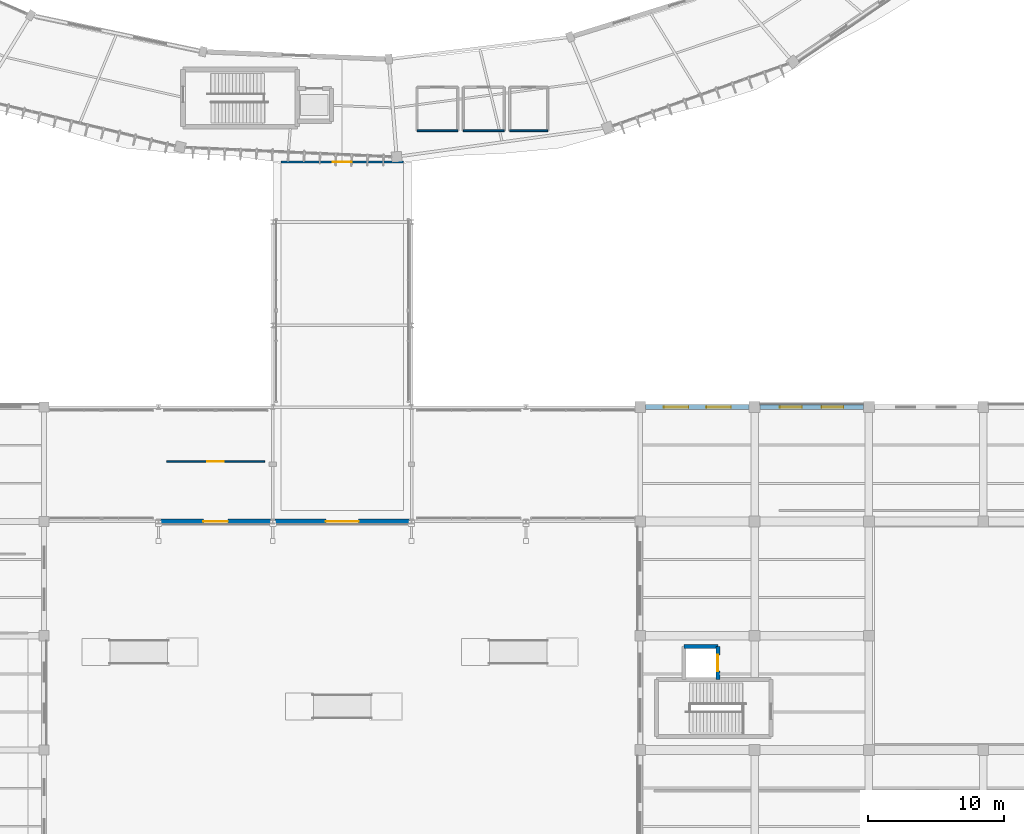
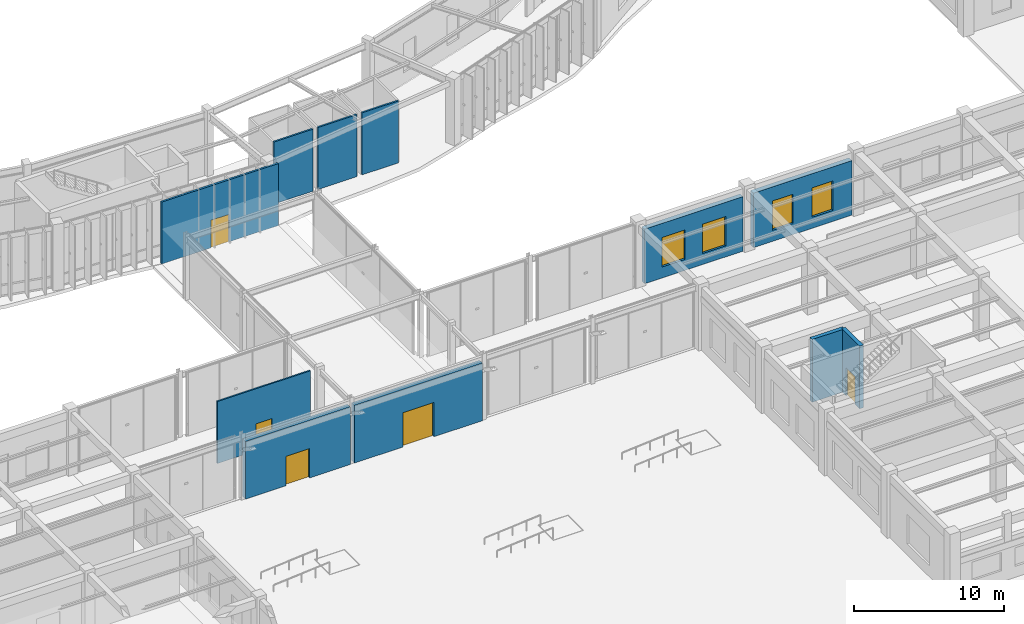
# One storey, part 127 of 157: 11 walls, 5 doors, 4 windows, 9 openings.
"""IFC4 building model written with IfcOpenShell, lengths in metres."""

from ifc_helpers import new_model, si_unit, direction, frame, frame_2d, origin, place, context, subcontext, project, spatial, rectangle, extrude, material, layer, layer_set, type_object, element, fill, save


model = new_model("IFC4")

# Units and contexts
model_context = context("Model", 3, precision=1e-05, world=origin(), true_north=direction((0.0, 1.0)))
body_context = subcontext(model_context, "Body", "Model", "MODEL_VIEW")
ifc_project = project(units=[si_unit("LENGTHUNIT", "METRE"), si_unit("AREAUNIT", "SQUARE_METRE"), si_unit("VOLUMEUNIT", "CUBIC_METRE"), si_unit("PLANEANGLEUNIT", "RADIAN"), si_unit("MASSUNIT", "GRAM", prefix="KILO"), si_unit("THERMODYNAMICTEMPERATUREUNIT", "KELVIN"), si_unit("POWERUNIT", "WATT")], contexts=[model_context])

# Site, building, storey
site_placement = place(None, origin())
site = spatial("IfcSite", under=ifc_project, at=site_placement, CompositionType="ELEMENT")
building_placement = place(site_placement, origin())
building = spatial("IfcBuilding", under=site, at=building_placement, Name="Darbajah Civic Hall", CompositionType="ELEMENT")
storey_placement = place(building_placement, origin())
storey = spatial("IfcBuildingStorey", under=building, at=storey_placement, Name="L00", CompositionType="ELEMENT", Elevation=0.0)

# Wall
ifc_material_1 = material(Name="Concrete C45/55", Category="concrete")
ifc_layer_1 = layer(ifc_material_1, 0.300048828125, Name="Concrete C45/55")
ifc_layer_set_1 = layer_set([ifc_layer_1], Name="Concrete C45/55")
wall_type_1 = type_object("IfcWallType", Name="Core Shear Wall 300mm", PredefinedType="SHEAR", material=ifc_layer_set_1)
wall_1_placement = place(storey_placement, frame((116.699951171875, 24.39990234375, 0.0), z_axis=(0.0, 0.0, 1.0), x_axis=(-1.0, 0.0, 0.0)))
element("IfcWall", 1, at=wall_1_placement, inside=storey, type_object=wall_type_1, Name="L00 lift PL3 shaft wall N", PredefinedType="SHEAR", context=body_context, shape_type="SweptSolid", body=[
    extrude(rectangle(XDim=2.5, YDim=0.300048828125, at=frame_2d((1.25, 0.0))), origin(), (0.0, 0.0, 1.0), 5.1201171875),
])

# Wall, opening, door
wall_2_placement = place(storey_placement, frame((116.699951171875, 22.0, 0.0), z_axis=(0.0, 0.0, 1.0), x_axis=(0.0, 1.0, 0.0)))
wall_2 = element("IfcWall", 2, at=wall_2_placement, inside=storey, type_object=wall_type_1, Name="L00 lift PL3 shaft wall E", PredefinedType="SHEAR", context=body_context, shape_type="SweptSolid", body=[
    extrude(rectangle(XDim=2.39990234375, YDim=0.300048828125, at=frame_2d((1.199951171875, 0.0))), origin(), (0.0, 0.0, 1.0), 5.1201171875),
])
opening_1_placement = place(wall_2_placement, frame((0.60009765625, 0.0, 0.0)))
opening_1 = element("IfcOpeningElement", 3, at=opening_1_placement, cuts=wall_2, Name="Opening LD-0077", PredefinedType="OPENING", context=body_context, shape_type="SweptSolid", body=[
    extrude(rectangle(XDim=1.199951171875, YDim=2.25, at=frame_2d((0.60009765625, 1.125))), frame((0.0, 0.159912109375, 0.0), z_axis=(0.0, -1.0, 0.0), x_axis=(1.0, 0.0, 0.0)), (0.0, 0.0, 1.0), 0.320068359375),
])
ifc_material_2 = material(Name="Stainless Lift Landing Door")
door_type_1 = type_object("IfcDoorType", Name="Lift Landing Door 1200x2250", OperationType="SLIDING_TO_LEFT", PredefinedType="DOOR", material=ifc_material_2)
door_1_placement = place(opening_1_placement, origin())
door_1 = element("IfcDoor", 4, at=door_1_placement, inside=storey, type_object=door_type_1, Name="L00 lift PL3 landing door LD-0077", OperationType="SLIDING_TO_LEFT", OverallHeight=2.25, OverallWidth=1.199951171875, PredefinedType="DOOR", context=body_context, shape_type="SweptSolid", body=[
    extrude(rectangle(XDim=1.199951171875, YDim=2.25, at=frame_2d((0.60009765625, 1.125))), frame((0.0, 0.02490234375, 0.0), z_axis=(0.0, -1.0, 0.0), x_axis=(1.0, 0.0, 0.0)), (0.0, 0.0, 1.0), 0.050048828125),
])
fill(opening_1, door_1)

# Wall, openings, windows
ifc_material_3 = material(Name="Red Dholpur Sandstone Cladding", Category="masonry")
ifc_layer_2 = layer(ifc_material_3, 0.3798828125, Name="Red Dholpur Sandstone Cladding")
ifc_layer_set_2 = layer_set([ifc_layer_2], Name="Red Dholpur Sandstone Cladding")
wall_type_2 = type_object("IfcWallType", Name="Exterior Wall 380mm", PredefinedType="SOLIDWALL", material=ifc_layer_set_2)
wall_3_placement = place(storey_placement, frame((127.39794921875, 42.0, 0.0), z_axis=(0.0, 0.0, 1.0), x_axis=(-1.0, 0.0, 0.0)))
wall_3 = element("IfcWall", 5, at=wall_3_placement, inside=storey, type_object=wall_type_2, Name="L00 exterior wall EW-380", PredefinedType="SOLIDWALL", context=body_context, shape_type="SweptSolid", body=[
    extrude(rectangle(XDim=7.595947265625, YDim=0.3798828125, at=frame_2d((3.7978515625, 0.0))), origin(), (0.0, 0.0, 1.0), 4.449951171875),
])
opening_2_placement = place(wall_3_placement, frame((1.46533203125, 0.0, 0.89990234375)))
opening_2 = element("IfcOpeningElement", 6, at=opening_2_placement, cuts=wall_3, Name="Opening WN-11", PredefinedType="OPENING", context=body_context, shape_type="SweptSolid", body=[
    extrude(rectangle(XDim=1.60009765625, YDim=2.39990234375, at=frame_2d((0.800048828125, 1.199951171875))), frame((0.0, 0.199951171875, 0.0), z_axis=(0.0, -1.0, 0.0), x_axis=(1.0, 0.0, 0.0)), (0.0, 0.0, 1.0), 0.39990234375),
])
opening_3_placement = place(wall_3_placement, frame((4.53076171875, 0.0, 0.89990234375)))
opening_3 = element("IfcOpeningElement", 7, at=opening_3_placement, cuts=wall_3, Name="Opening WN-11", PredefinedType="OPENING", context=body_context, shape_type="SweptSolid", body=[
    extrude(rectangle(XDim=1.60009765625, YDim=2.39990234375, at=frame_2d((0.800048828125, 1.199951171875))), frame((0.0, 0.199951171875, 0.0), z_axis=(0.0, -1.0, 0.0), x_axis=(1.0, 0.0, 0.0)), (0.0, 0.0, 1.0), 0.39990234375),
])
ifc_material_4 = material(Name="Low-E Solar Control Double Glazing", Category="glass")
window_type_1 = type_object("IfcWindowType", Name="Facade Window 1600x2400", PartitioningType="DOUBLE_PANEL_VERTICAL", PredefinedType="WINDOW", material=ifc_material_4)
window_1_placement = place(opening_2_placement, origin())
window_1 = element("IfcWindow", 8, at=window_1_placement, inside=storey, type_object=window_type_1, Name="L00 facade window WN-11", OverallHeight=2.39990234375, OverallWidth=1.60009765625, PartitioningType="SINGLE_PANEL", PredefinedType="WINDOW", context=body_context, shape_type="SweptSolid", body=[
    extrude(rectangle(XDim=1.60009765625, YDim=2.39990234375, at=frame_2d((0.800048828125, 1.199951171875))), frame((0.0, 0.030029296875, 0.0), z_axis=(0.0, -1.0, 0.0), x_axis=(1.0, 0.0, 0.0)), (0.0, 0.0, 1.0), 0.06005859375),
])
fill(opening_2, window_1)
window_2_placement = place(opening_3_placement, origin())
window_2 = element("IfcWindow", 9, at=window_2_placement, inside=storey, type_object=window_type_1, Name="L00 facade window WN-11", OverallHeight=2.39990234375, OverallWidth=1.60009765625, PartitioningType="SINGLE_PANEL", PredefinedType="WINDOW", context=body_context, shape_type="SweptSolid", body=[
    extrude(rectangle(XDim=1.60009765625, YDim=2.39990234375, at=frame_2d((0.800048828125, 1.199951171875))), frame((0.0, 0.030029296875, 0.0), z_axis=(0.0, -1.0, 0.0), x_axis=(1.0, 0.0, 0.0)), (0.0, 0.0, 1.0), 0.06005859375),
])
fill(opening_3, window_2)

wall_4_placement = place(storey_placement, frame((118.998046875, 42.0, 0.0), z_axis=(0.0, 0.0, 1.0), x_axis=(-1.0, 0.0, 0.0)))
wall_4 = element("IfcWall", 10, at=wall_4_placement, inside=storey, type_object=wall_type_2, Name="L00 exterior wall EW-380", PredefinedType="SOLIDWALL", context=body_context, shape_type="SweptSolid", body=[
    extrude(rectangle(XDim=7.595947265625, YDim=0.3798828125, at=frame_2d((3.7978515625, 0.0))), origin(), (0.0, 0.0, 1.0), 4.449951171875),
])
opening_4_placement = place(wall_4_placement, frame((1.33203125, 0.0, 0.89990234375)))
opening_4 = element("IfcOpeningElement", 11, at=opening_4_placement, cuts=wall_4, Name="Opening WN-12", PredefinedType="OPENING", context=body_context, shape_type="SweptSolid", body=[
    extrude(rectangle(XDim=1.800048828125, YDim=2.39990234375, at=frame_2d((0.89990234375, 1.199951171875))), frame((0.0, 0.199951171875, 0.0), z_axis=(0.0, -1.0, 0.0), x_axis=(1.0, 0.0, 0.0)), (0.0, 0.0, 1.0), 0.39990234375),
])
opening_5_placement = place(wall_4_placement, frame((4.464111328125, 0.0, 0.89990234375)))
opening_5 = element("IfcOpeningElement", 12, at=opening_5_placement, cuts=wall_4, Name="Opening WN-12", PredefinedType="OPENING", context=body_context, shape_type="SweptSolid", body=[
    extrude(rectangle(XDim=1.800048828125, YDim=2.39990234375, at=frame_2d((0.89990234375, 1.199951171875))), frame((0.0, 0.199951171875, 0.0), z_axis=(0.0, -1.0, 0.0), x_axis=(1.0, 0.0, 0.0)), (0.0, 0.0, 1.0), 0.39990234375),
])
window_type_2 = type_object("IfcWindowType", Name="Facade Window 1800x2400", PartitioningType="DOUBLE_PANEL_VERTICAL", PredefinedType="WINDOW", material=ifc_material_4)
window_3_placement = place(opening_4_placement, origin())
window_3 = element("IfcWindow", 13, at=window_3_placement, inside=storey, type_object=window_type_2, Name="L00 facade window WN-12", OverallHeight=2.39990234375, OverallWidth=1.800048828125, PartitioningType="SINGLE_PANEL", PredefinedType="WINDOW", context=body_context, shape_type="SweptSolid", body=[
    extrude(rectangle(XDim=1.800048828125, YDim=2.39990234375, at=frame_2d((0.89990234375, 1.199951171875))), frame((0.0, 0.030029296875, 0.0), z_axis=(0.0, -1.0, 0.0), x_axis=(1.0, 0.0, 0.0)), (0.0, 0.0, 1.0), 0.06005859375),
])
fill(opening_4, window_3)
window_4_placement = place(opening_5_placement, origin())
window_4 = element("IfcWindow", 14, at=window_4_placement, inside=storey, type_object=window_type_2, Name="L00 facade window WN-12", OverallHeight=2.39990234375, OverallWidth=1.800048828125, PartitioningType="SINGLE_PANEL", PredefinedType="WINDOW", context=body_context, shape_type="SweptSolid", body=[
    extrude(rectangle(XDim=1.800048828125, YDim=2.39990234375, at=frame_2d((0.89990234375, 1.199951171875))), frame((0.0, 0.030029296875, 0.0), z_axis=(0.0, -1.0, 0.0), x_axis=(1.0, 0.0, 0.0)), (0.0, 0.0, 1.0), 0.06005859375),
])
fill(opening_5, window_4)

# Wall, opening, door
wall_5_placement = place(storey_placement, frame((84.156494140625, 33.60009765625, 0.0), z_axis=(0.0, 0.0, 1.0), x_axis=(1.0, 0.0, 0.0)))
wall_5 = element("IfcWall", 15, at=wall_5_placement, inside=storey, type_object=wall_type_2, Name="L00 exterior wall EW-380", PredefinedType="SOLIDWALL", context=body_context, shape_type="SweptSolid", body=[
    extrude(rectangle(XDim=9.886962890625, YDim=0.3798828125, at=frame_2d((4.943359375, 0.0))), origin(), (0.0, 0.0, 1.0), 4.702880859375),
])
opening_6_placement = place(wall_5_placement, frame((3.743408203125, 0.0, 0.0)))
opening_6 = element("IfcOpeningElement", 16, at=opening_6_placement, cuts=wall_5, Name="Opening E-019", PredefinedType="OPENING", context=body_context, shape_type="SweptSolid", body=[
    extrude(rectangle(XDim=2.39990234375, YDim=2.800048828125, at=frame_2d((1.199951171875, 1.39990234375))), frame((0.0, 0.199951171875, 0.0), z_axis=(0.0, -1.0, 0.0), x_axis=(1.0, 0.0, 0.0)), (0.0, 0.0, 1.0), 0.39990234375),
])
ifc_material_5 = material(Name="Anodised Bronze Aluminium and Laminated Glass", Category="aluminium")
door_type_2 = type_object("IfcDoorType", Name="Exterior Door 2400x2800", OperationType="NOTDEFINED", PredefinedType="DOOR", material=ifc_material_5)
door_2_placement = place(opening_6_placement, frame((2.39990234375, 0.0, 0.0), z_axis=(0.0, 0.0, 1.0), x_axis=(-1.0, 0.0, 0.0)))
door_2 = element("IfcDoor", 17, at=door_2_placement, inside=storey, type_object=door_type_2, Name="Main Ceremonial Pishtaq Entrance E-019", OperationType="DOUBLE_DOOR_SINGLE_SWING", OverallHeight=2.800048828125, OverallWidth=2.39990234375, PredefinedType="DOOR", context=body_context, shape_type="SweptSolid", body=[
    extrude(rectangle(XDim=2.39990234375, YDim=2.800048828125, at=frame_2d((1.199951171875, 1.39990234375))), frame((0.0, 0.02490234375, 0.0), z_axis=(0.0, -1.0, 0.0), x_axis=(1.0, 0.0, 0.0)), (0.0, 0.0, 1.0), 0.050048828125),
])
fill(opening_6, door_2)

wall_6_placement = place(storey_placement, frame((75.756591796875, 33.60009765625, 0.0), z_axis=(0.0, 0.0, 1.0), x_axis=(1.0, 0.0, 0.0)))
wall_6 = element("IfcWall", 18, at=wall_6_placement, inside=storey, type_object=wall_type_2, Name="L00 exterior wall EW-380", PredefinedType="SOLIDWALL", context=body_context, shape_type="SweptSolid", body=[
    extrude(rectangle(XDim=8.0869140625, YDim=0.3798828125, at=frame_2d((4.04345703125, 0.0))), origin(), (0.0, 0.0, 1.0), 4.702880859375),
])
opening_7_placement = place(wall_6_placement, frame((3.143310546875, 0.0, 0.0)))
opening_7 = element("IfcOpeningElement", 19, at=opening_7_placement, cuts=wall_6, Name="Opening E-020", PredefinedType="OPENING", context=body_context, shape_type="SweptSolid", body=[
    extrude(rectangle(XDim=1.800048828125, YDim=2.39990234375, at=frame_2d((0.89990234375, 1.199951171875))), frame((0.0, 0.199951171875, 0.0), z_axis=(0.0, -1.0, 0.0), x_axis=(1.0, 0.0, 0.0)), (0.0, 0.0, 1.0), 0.39990234375),
])
door_type_3 = type_object("IfcDoorType", Name="Exterior Door 1800x2400", OperationType="NOTDEFINED", PredefinedType="DOOR", material=ifc_material_5)
door_3_placement = place(opening_7_placement, frame((1.800048828125, 0.0, 0.0), z_axis=(0.0, 0.0, 1.0), x_axis=(-1.0, 0.0, 0.0)))
door_3 = element("IfcDoor", 20, at=door_3_placement, inside=storey, type_object=door_type_3, Name="Fire Command Exterior Access Door E-020", OperationType="DOUBLE_DOOR_SINGLE_SWING", OverallHeight=2.39990234375, OverallWidth=1.800048828125, PredefinedType="DOOR", context=body_context, shape_type="SweptSolid", body=[
    extrude(rectangle(XDim=1.800048828125, YDim=2.39990234375, at=frame_2d((0.89990234375, 1.199951171875))), frame((0.0, 0.02490234375, 0.0), z_axis=(0.0, -1.0, 0.0), x_axis=(1.0, 0.0, 0.0)), (0.0, 0.0, 1.0), 0.050048828125),
])
fill(opening_7, door_3)

ifc_material_6 = material(Name="Acoustic Gypsum Partition")
ifc_layer_3 = layer(ifc_material_6, 0.114990234375, Name="Acoustic Gypsum Partition")
ifc_layer_set_3 = layer_set([ifc_layer_3], Name="Acoustic Gypsum Partition")
wall_type_3 = type_object("IfcWallType", Name="Interior Partition 115mm", PredefinedType="PARTITIONING", material=ifc_layer_set_3)
wall_7_placement = place(storey_placement, frame((76.199951171875, 38.0, 0.0), z_axis=(0.0, 0.0, 1.0), x_axis=(1.0, 0.0, 0.0)))
wall_7 = element("IfcWall", 21, at=wall_7_placement, inside=storey, type_object=wall_type_3, Name="L00 interior partition L00-FCC", PredefinedType="PARTITIONING", context=body_context, shape_type="SweptSolid", body=[
    extrude(rectangle(XDim=7.199951171875, YDim=0.114990234375, at=frame_2d((3.60009765625, 0.0))), origin(), (0.0, 0.0, 1.0), 5.06005859375),
])
opening_8_placement = place(wall_7_placement, frame((3.0, 0.0, 0.0)))
opening_8 = element("IfcOpeningElement", 22, at=opening_8_placement, cuts=wall_7, Name="Opening D-0160", PredefinedType="OPENING", context=body_context, shape_type="SweptSolid", body=[
    extrude(rectangle(XDim=1.199951171875, YDim=2.199951171875, at=frame_2d((0.60009765625, 1.10009765625))), frame((0.0, 0.0673828125, 0.0), z_axis=(0.0, -1.0, 0.0), x_axis=(1.0, 0.0, 0.0)), (0.0, 0.0, 1.0), 0.135009765625),
])
ifc_material_7 = material(Name="Painted Hardwood Fire Door", Category="wood")
door_type_4 = type_object("IfcDoorType", Name="Interior Door 1200x2200", OperationType="NOTDEFINED", PredefinedType="DOOR", material=ifc_material_7)
door_4_placement = place(opening_8_placement, origin())
door_4 = element("IfcDoor", 23, at=door_4_placement, inside=storey, type_object=door_type_4, Name="L00 L00-FCC door D-0160", OperationType="SINGLE_SWING_LEFT", OverallHeight=2.199951171875, OverallWidth=1.199951171875, PredefinedType="DOOR", context=body_context, shape_type="SweptSolid", body=[
    extrude(rectangle(XDim=1.199951171875, YDim=2.199951171875, at=frame_2d((0.60009765625, 1.10009765625))), frame((0.0, 0.02490234375, 0.0), z_axis=(0.0, -1.0, 0.0), x_axis=(1.0, 0.0, 0.0)), (0.0, 0.0, 1.0), 0.050048828125),
])
fill(opening_8, door_4)

# Walls
ifc_material_8 = material(Name="Gypsum Plasterboard on Steel Stud", Category="steel")
ifc_layer_4 = layer(ifc_material_8, 0.135009765625, Name="Gypsum Plasterboard on Steel Stud")
ifc_layer_set_4 = layer_set([ifc_layer_4], Name="Gypsum Plasterboard on Steel Stud")
wall_type_4 = type_object("IfcWallType", Name="Interior Partition 135mm", PredefinedType="PARTITIONING", material=ifc_layer_set_4)
for number, where, z_axis, x_axis, name in (
    (24, (94.60009765625, 62.300048828125, 0.0), (0.0, 0.0, 1.0), (1.0, 0.0, 0.0), "L00 restroom enclosure wall L00-WCM S"),
    (25, (98.0, 62.300048828125, 0.0), (0.0, 0.0, 1.0), (1.0, 0.0, 0.0), "L00 restroom enclosure wall L00-WCF S"),
):
    element("IfcWall", number, at=place(storey_placement, frame(where, z_axis=z_axis, x_axis=x_axis)), inside=storey, type_object=wall_type_4, Name=name, PredefinedType="PARTITIONING", context=body_context, shape_type="SweptSolid", body=[
        extrude(rectangle(XDim=3.0, YDim=0.135009765625, at=frame_2d((1.5, 0.0))), origin(), (0.0, 0.0, 1.0), 5.06005859375),
    ])
wall_8_placement = place(storey_placement, frame((101.39990234375, 62.300048828125, 0.0), z_axis=(0.0, 0.0, 1.0), x_axis=(1.0, 0.0, 0.0)))
element("IfcWall", 26, at=wall_8_placement, inside=storey, type_object=wall_type_4, Name="L00 restroom enclosure wall L00-WCA S", PredefinedType="PARTITIONING", context=body_context, shape_type="SweptSolid", body=[
    extrude(rectangle(XDim=2.800048828125, YDim=0.135009765625, at=frame_2d((1.39990234375, 0.0))), origin(), (0.0, 0.0, 1.0), 5.06005859375),
])

# Wall, opening, door
ifc_layer_5 = layer(ifc_material_8, 0.159912109375, Name="Gypsum Plasterboard on Steel Stud")
ifc_layer_set_5 = layer_set([ifc_layer_5], Name="Gypsum Plasterboard on Steel Stud")
wall_type_5 = type_object("IfcWallType", Name="Interior Partition 160mm", PredefinedType="PARTITIONING", material=ifc_layer_set_5)
wall_9_placement = place(storey_placement, frame((84.60009765625, 60.0, 0.0), z_axis=(0.0, 0.0, 1.0), x_axis=(1.0, 0.0, 0.0)))
wall_9 = element("IfcWall", 27, at=wall_9_placement, inside=storey, type_object=wall_type_5, Name="L00 interior partition L00-V6-01", PredefinedType="PARTITIONING", context=body_context, shape_type="SweptSolid", body=[
    extrude(rectangle(XDim=9.0, YDim=0.159912109375, at=frame_2d((4.5, 0.0))), origin(), (0.0, 0.0, 1.0), 5.06005859375),
])
opening_9_placement = place(wall_9_placement, frame((3.800048828125, 0.0, 0.0)))
opening_9 = element("IfcOpeningElement", 28, at=opening_9_placement, cuts=wall_9, Name="Opening D-0173", PredefinedType="OPENING", context=body_context, shape_type="SweptSolid", body=[
    extrude(rectangle(XDim=1.39990234375, YDim=2.25, at=frame_2d((0.699951171875, 1.125))), frame((0.0, 0.08984375, 0.0), z_axis=(0.0, -1.0, 0.0), x_axis=(1.0, 0.0, 0.0)), (0.0, 0.0, 1.0), 0.179931640625),
])
door_type_5 = type_object("IfcDoorType", Name="Interior Door 1400x2250", OperationType="NOTDEFINED", PredefinedType="DOOR", material=ifc_material_7)
door_5_placement = place(opening_9_placement, origin())
door_5 = element("IfcDoor", 29, at=door_5_placement, inside=storey, type_object=door_type_5, Name="L00 L00-V6-01 door D-0173", OperationType="SINGLE_SWING_RIGHT", OverallHeight=2.25, OverallWidth=1.39990234375, PredefinedType="DOOR", context=body_context, shape_type="SweptSolid", body=[
    extrude(rectangle(XDim=1.39990234375, YDim=2.25, at=frame_2d((0.699951171875, 1.125))), frame((0.0, 0.02490234375, 0.0), z_axis=(0.0, -1.0, 0.0), x_axis=(1.0, 0.0, 0.0)), (0.0, 0.0, 1.0), 0.050048828125),
])
fill(opening_9, door_5)

save(model, "model.ifc")
